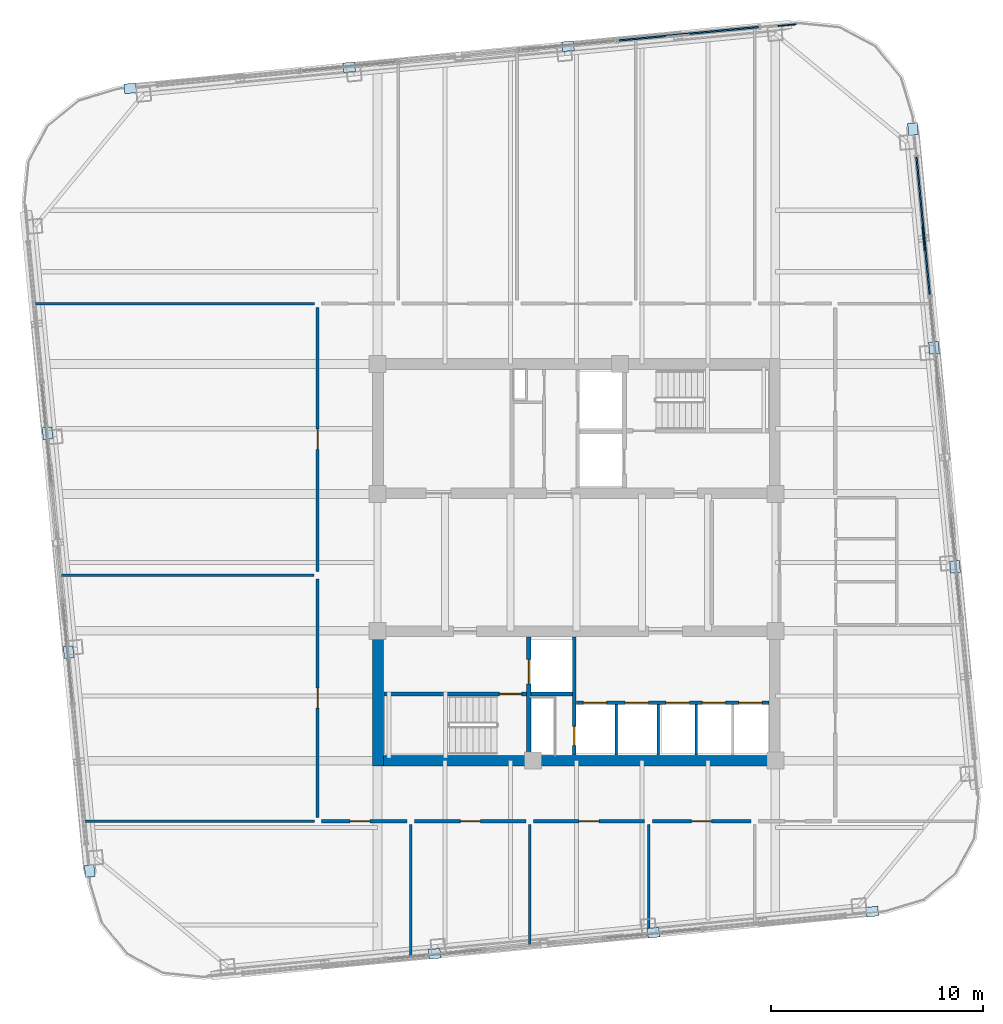
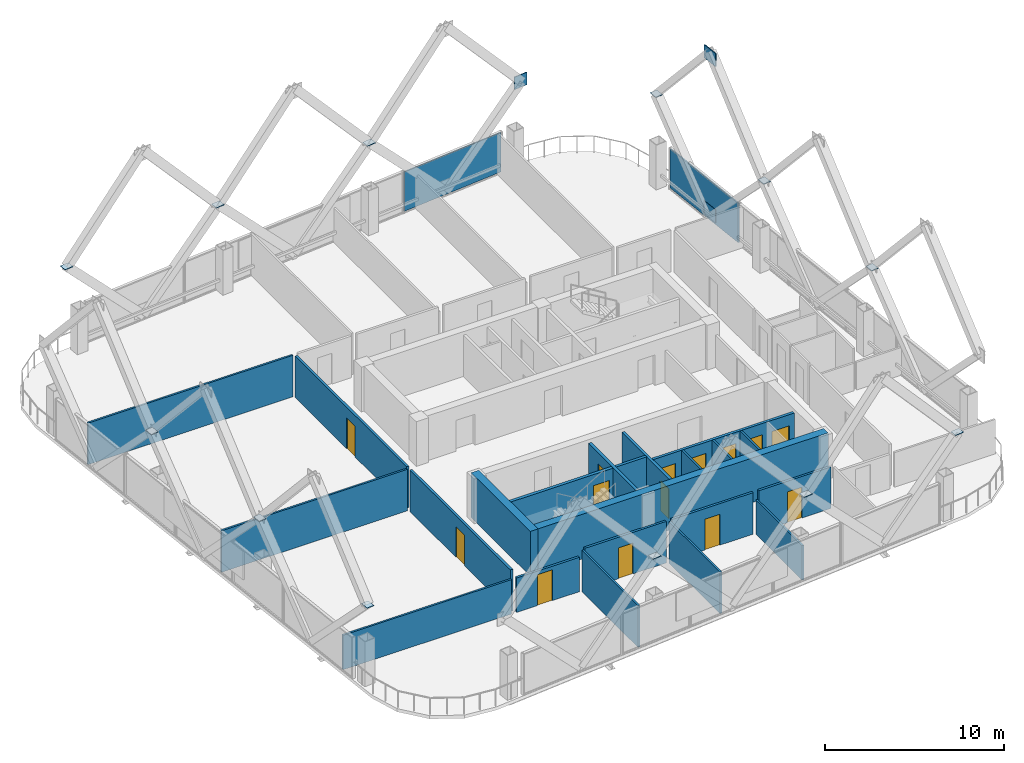
# One storey, part 29 of 34: 22 walls, 17 plates, 14 doors, 14 openings, 2 elements without a shape of their own.
"""IFC4 building model written with IfcOpenShell, lengths in metres."""

from ifc_helpers import new_model, si_unit, direction, frame, frame_2d, origin, origin_2d, place, context, subcontext, project, spatial, rectangle, extrude, material, layer, layer_set, type_object, element, fill, aggregate, save


model = new_model("IFC4")

# Units and contexts
model_context = context("Model", 3, precision=1e-05, world=origin(), true_north=direction((0.0, 1.0)))
body_context = subcontext(model_context, "Body", "Model", "MODEL_VIEW")
ifc_project = project(units=[si_unit("LENGTHUNIT", "METRE"), si_unit("AREAUNIT", "SQUARE_METRE"), si_unit("VOLUMEUNIT", "CUBIC_METRE"), si_unit("PLANEANGLEUNIT", "RADIAN"), si_unit("MASSUNIT", "GRAM", prefix="KILO")], contexts=[model_context])

# Site, building, storey
site_placement = place(None, origin())
site = spatial("IfcSite", under=ifc_project, at=site_placement, CompositionType="ELEMENT")
building_placement = place(site_placement, origin())
building = spatial("IfcBuilding", under=site, at=building_placement, Name="Qhalaya Broadcast Tower", CompositionType="ELEMENT")
storey_placement = place(building_placement, frame((0.0, 0.0, 168.35009765625)))
storey = spatial("IfcBuildingStorey", under=building, at=storey_placement, Name="L49", CompositionType="ELEMENT", Elevation=168.35009765625)

# Plates
ifc_material_1 = material(Name="Structural Steel ASTM A572 Grade 50", Category="steel")
ifc_layer_1 = layer(ifc_material_1, 0.054931640625, Name="Structural Steel ASTM A572 Grade 50")
ifc_layer_set_1 = layer_set([ifc_layer_1], Name="Structural Steel ASTM A572 Grade 50")
plate_type_1 = type_object("IfcPlateType", Name="Exoskeleton Diamond Node Gusset Plate NP-01", PredefinedType="USERDEFINED", material=ifc_layer_set_1)
for number, where, z_axis, x_axis, name in (
    (1, (16.35986328125, 15.87060546875, 0.2099609375), (0.0, 0.0, 1.0), (-0.09584575252, 0.995396198367, 0.0), "Exoskeleton Diamond Node B4-E3-BOT"),
    (2, (16.35986328125, 15.87060546875, 10.849853515625), (0.0, 0.0, 1.0), (-0.09584575252, 0.995396198367, 0.0), "Exoskeleton Diamond Node B4-E3-TOP"),
):
    element("IfcPlate", number, at=place(storey_placement, frame(where, z_axis=z_axis, x_axis=x_axis)), inside=storey, type_object=plate_type_1, Name=name, ObjectType="GUSSET_PLATE", PredefinedType="USERDEFINED", context=body_context, shape_type="SweptSolid", body=[
        extrude(rectangle(XDim=1.10009765625, YDim=0.054931640625, at=origin_2d()), origin(), (0.0, 0.0, 1.0), 0.89990234375),
    ])
plate_1_placement = place(storey_placement, frame((9.926513671875, 25.923828125, 5.31494140625), z_axis=(0.0, 0.0, 1.0), x_axis=(0.995396198367, 0.09584575252, 0.0)))
element("IfcPlate", 3, at=plate_1_placement, inside=storey, type_object=plate_type_1, Name="Exoskeleton Diamond Node B4-N1-MDL", ObjectType="GUSSET_PLATE", PredefinedType="USERDEFINED", context=body_context, shape_type="SweptSolid", body=[
    extrude(rectangle(XDim=0.85009765625, YDim=0.054931640625, at=origin_2d()), origin(), (0.0, 0.0, 1.0), 0.85009765625),
])
ifc_layer_2 = layer(ifc_material_1, 0.4599609375, Name="Structural Steel ASTM A572 Grade 50")
ifc_layer_set_2 = layer_set([ifc_layer_2], Name="Structural Steel ASTM A572 Grade 50")
plate_type_2 = type_object("IfcPlateType", Name="Hollow Box Member End Cap Plate CP-01", PredefinedType="USERDEFINED", material=ifc_layer_set_2)
for number, where, z_axis, x_axis, name in (
    (4, (-6.687744140625, -17.85009765625, 5.72412109375), (0.0, 0.0, 1.0), (0.995396198367, 0.09584575252, 0.0), "Exoskeleton Hollow End Cap B4-S1"),
    (5, (3.63134765625, -16.856689453125, 5.72412109375), (0.0, 0.0, 1.0), (0.995396198367, 0.09584575252, 0.0), "Exoskeleton Hollow End Cap B4-S2"),
    (6, (13.9501953125, -15.863037109375, 5.72412109375), (0.0, 0.0, 1.0), (0.995396198367, 0.09584575252, 0.0), "Exoskeleton Hollow End Cap B4-S3"),
    (7, (17.85009765625, 0.392333984375, 5.72412109375), (0.0, 0.0, 1.0), (-0.09584575252, 0.995396198367, 0.0), "Exoskeleton Hollow End Cap B4-E1"),
    (8, (16.856689453125, 10.711181640625, 5.72412109375), (0.0, 0.0, 1.0), (-0.09584575252, 0.995396198367, 0.0), "Exoskeleton Hollow End Cap B4-E2"),
    (9, (15.863037109375, 21.0302734375, 5.72412109375), (0.0, 0.0, 1.0), (-0.09584575252, 0.995396198367, 0.0), "Exoskeleton Hollow End Cap B4-E3"),
    (10, (-0.392333984375, 24.93017578125, 5.72412109375), (0.0, 0.0, 1.0), (0.995396198367, 0.09584575252, 0.0), "Exoskeleton Hollow End Cap B4-N1"),
    (11, (-10.711181640625, 23.9365234375, 5.72412109375), (0.0, 0.0, 1.0), (0.995396198367, 0.09584575252, 0.0), "Exoskeleton Hollow End Cap B4-N2"),
    (12, (-21.0302734375, 22.943115234375, 5.72412109375), (0.0, 0.0, 1.0), (0.995396198367, 0.09584575252, 0.0), "Exoskeleton Hollow End Cap B4-N3"),
    (13, (-24.93017578125, 6.687744140625, 5.72412109375), (0.0, 0.0, 1.0), (-0.09584575252, 0.995396198367, 0.0), "Exoskeleton Hollow End Cap B4-W1"),
    (14, (-23.9365234375, -3.63134765625, 5.72412109375), (0.0, 0.0, 1.0), (-0.09584575252, 0.995396198367, 0.0), "Exoskeleton Hollow End Cap B4-W2"),
    (15, (-22.943115234375, -13.9501953125, 5.72412109375), (0.0, 0.0, 1.0), (-0.09584575252, 0.995396198367, 0.0), "Exoskeleton Hollow End Cap B4-W3"),
):
    element("IfcPlate", number, at=place(storey_placement, frame(where, z_axis=z_axis, x_axis=x_axis)), inside=storey, type_object=plate_type_2, Name=name, ObjectType="COVER_PLATE", PredefinedType="USERDEFINED", context=body_context, shape_type="SweptSolid", body=[
        extrude(rectangle(XDim=0.56005859375, YDim=0.4599609375, at=origin_2d()), origin(), (0.0, 0.0, 1.0), 0.031982421875),
    ])

# Curtain wall, plate
ifc_material_2 = material(Name="Fired Architectural Terracotta", Category="masonry")
ifc_layer_3 = layer(ifc_material_2, 0.219970703125, Name="Fired Architectural Terracotta")
ifc_layer_set_3 = layer_set([ifc_layer_3], Name="Fired Architectural Terracotta")
curtain_wall_type = type_object("IfcCurtainWallType", Name="Block-Cap Unitised Terracotta Spandrel Wall CW-07", PredefinedType="NOTDEFINED", material=ifc_layer_set_3)
curtain_wall_1_placement = place(storey_placement, origin())
curtain_wall_1 = element("IfcCurtainWall", 16, at=curtain_wall_1_placement, inside=storey, type_object=curtain_wall_type, Name="L49 Unitised Curtain Wall L49-CW-E5", PredefinedType="NOTDEFINED")
ifc_layer_4 = layer(ifc_material_2, 0.080078125, Name="Fired Architectural Terracotta")
ifc_layer_set_4 = layer_set([ifc_layer_4], Name="Fired Architectural Terracotta")
plate_type_3 = type_object("IfcPlateType", Name="Insulated Terracotta Spandrel Panel TSP-07", PredefinedType="CURTAIN_PANEL", material=ifc_layer_set_4)
plate_2_placement = place(storey_placement, frame((16.343017578125, 16.462158203125, 0.07470703125), z_axis=(0.0, 0.0, 1.0), x_axis=(-0.095842362816, 0.995396524753, 0.0)))
plate_2 = element("IfcPlate", 17, at=plate_2_placement, type_object=plate_type_3, Name="CW-07 panel 1.1", PredefinedType="CURTAIN_PANEL", context=body_context, shape_type="SweptSolid", body=[
    extrude(rectangle(XDim=6.535888671875, YDim=0.080078125, at=origin_2d()), origin(), (0.0, 0.0, 1.0), 2.679931640625),
])
aggregate(curtain_wall_1, [plate_2])

curtain_wall_2_placement = place(storey_placement, origin())
curtain_wall_2 = element("IfcCurtainWall", 18, at=curtain_wall_2_placement, inside=storey, type_object=curtain_wall_type, Name="L49 Unitised Curtain Wall L49-CW-N1", PredefinedType="NOTDEFINED")
plate_3_placement = place(storey_placement, frame((5.30419921875, 25.518798828125, 0.07470703125), z_axis=(0.0, 0.0, 1.0), x_axis=(-0.99539669829, -0.095840560477, 0.0)))
plate_3 = element("IfcPlate", 19, at=plate_3_placement, type_object=plate_type_3, Name="CW-07 panel 1.1", PredefinedType="CURTAIN_PANEL", context=body_context, shape_type="SweptSolid", body=[
    extrude(rectangle(XDim=6.630126953125, YDim=0.080078125, at=origin_2d()), origin(), (0.0, 0.0, 1.0), 2.679931640625),
])
aggregate(curtain_wall_2, [plate_3])

# Wall, opening, door
ifc_material_3 = material(Name="Gypsum Acoustic Partition")
ifc_layer_5 = layer(ifc_material_3, 0.14990234375, Name="Gypsum Acoustic Partition")
ifc_layer_set_5 = layer_set([ifc_layer_5], Name="Gypsum Acoustic Partition")
wall_type_1 = type_object("IfcWallType", Name="Corridor & Tenancy Acoustic Partition 150", PredefinedType="PARTITIONING", material=ifc_layer_set_5)
wall_1_placement = place(storey_placement, frame((-12.02001953125, -11.60009765625, 0.0), z_axis=(0.0, 0.0, 1.0), x_axis=(1.0, 0.0, 0.0)))
wall_1 = element("IfcWall", 20, at=wall_1_placement, inside=storey, type_object=wall_type_1, Name="L49 Partition Wall W-COR-06", PredefinedType="PARTITIONING", context=body_context, shape_type="SweptSolid", body=[
    extrude(rectangle(XDim=4.0400390625, YDim=0.14990234375, at=frame_2d((2.02001953125, 0.0))), origin(), (0.0, 0.0, 1.0), 2.346923828125),
])
opening_1_placement = place(wall_1_placement, frame((1.344970703125, 0.0, 0.0)))
opening_1 = element("IfcOpeningElement", 21, at=opening_1_placement, cuts=wall_1, Name="Opening D10", PredefinedType="OPENING", context=body_context, shape_type="SweptSolid", body=[
    extrude(rectangle(XDim=0.949951171875, YDim=2.10009765625, at=frame_2d((0.47509765625, 1.050048828125))), frame((0.0, 0.0869140625, 0.0), z_axis=(0.0, -1.0, 0.0), x_axis=(1.0, 0.0, 0.0)), (0.0, 0.0, 1.0), 0.173828125),
])
ifc_material_4 = material(Name="Timber Veneer Acoustic Door", Category="wood")
door_type_1 = type_object("IfcDoorType", Name="Cellular Office & Edit Booth Door D10", OperationType="NOTDEFINED", PredefinedType="DOOR", material=ifc_material_4)
door_1_placement = place(opening_1_placement, origin())
door_1 = element("IfcDoor", 22, at=door_1_placement, inside=storey, type_object=door_type_1, Name="L49 Door D-RM06", OperationType="SINGLE_SWING_RIGHT", OverallHeight=2.10009765625, OverallWidth=0.949951171875, PredefinedType="DOOR", context=body_context, shape_type="SweptSolid", body=[
    extrude(rectangle(XDim=0.949951171875, YDim=2.10009765625, at=frame_2d((0.47509765625, 1.050048828125))), frame((0.0, 0.02490234375, 0.0), z_axis=(0.0, -1.0, 0.0), x_axis=(1.0, 0.0, 0.0)), (0.0, 0.0, 1.0), 0.050048828125),
])
fill(opening_1, door_1)

wall_2_placement = place(storey_placement, frame((-7.6201171875, -11.60009765625, 0.0), z_axis=(0.0, 0.0, 1.0), x_axis=(1.0, 0.0, 0.0)))
wall_2 = element("IfcWall", 23, at=wall_2_placement, inside=storey, type_object=wall_type_1, Name="L49 Partition Wall W-COR-07", PredefinedType="PARTITIONING", context=body_context, shape_type="SweptSolid", body=[
    extrude(rectangle(XDim=5.240234375, YDim=0.14990234375, at=frame_2d((2.6201171875, 0.0))), origin(), (0.0, 0.0, 1.0), 2.829833984375),
])
opening_2_placement = place(wall_2_placement, frame((2.14501953125, 0.0, 0.0)))
opening_2 = element("IfcOpeningElement", 24, at=opening_2_placement, cuts=wall_2, Name="Opening D10", PredefinedType="OPENING", context=body_context, shape_type="SweptSolid", body=[
    extrude(rectangle(XDim=0.949951171875, YDim=2.10009765625, at=frame_2d((0.47509765625, 1.050048828125))), frame((0.0, 0.0869140625, 0.0), z_axis=(0.0, -1.0, 0.0), x_axis=(1.0, 0.0, 0.0)), (0.0, 0.0, 1.0), 0.173828125),
])
door_2_placement = place(opening_2_placement, origin())
door_2 = element("IfcDoor", 25, at=door_2_placement, inside=storey, type_object=door_type_1, Name="L49 Door D-RM07", OperationType="SINGLE_SWING_LEFT", OverallHeight=2.10009765625, OverallWidth=0.949951171875, PredefinedType="DOOR", context=body_context, shape_type="SweptSolid", body=[
    extrude(rectangle(XDim=0.949951171875, YDim=2.10009765625, at=frame_2d((0.47509765625, 1.050048828125))), frame((0.0, 0.02490234375, 0.0), z_axis=(0.0, -1.0, 0.0), x_axis=(1.0, 0.0, 0.0)), (0.0, 0.0, 1.0), 0.050048828125),
])
fill(opening_2, door_2)

wall_3_placement = place(storey_placement, frame((-2.02001953125, -11.60009765625, 0.0), z_axis=(0.0, 0.0, 1.0), x_axis=(1.0, 0.0, 0.0)))
wall_3 = element("IfcWall", 26, at=wall_3_placement, inside=storey, type_object=wall_type_1, Name="L49 Partition Wall W-COR-08", PredefinedType="PARTITIONING", context=body_context, shape_type="SweptSolid", body=[
    extrude(rectangle(XDim=5.239990234375, YDim=0.14990234375, at=frame_2d((2.6201171875, 0.0))), origin(), (0.0, 0.0, 1.0), 2.829833984375),
])
opening_3_placement = place(wall_3_placement, frame((2.14501953125, 0.0, 0.0)))
opening_3 = element("IfcOpeningElement", 27, at=opening_3_placement, cuts=wall_3, Name="Opening D10", PredefinedType="OPENING", context=body_context, shape_type="SweptSolid", body=[
    extrude(rectangle(XDim=0.949951171875, YDim=2.10009765625, at=frame_2d((0.47509765625, 1.050048828125))), frame((0.0, 0.0869140625, 0.0), z_axis=(0.0, -1.0, 0.0), x_axis=(1.0, 0.0, 0.0)), (0.0, 0.0, 1.0), 0.173828125),
])
door_3_placement = place(opening_3_placement, origin())
door_3 = element("IfcDoor", 28, at=door_3_placement, inside=storey, type_object=door_type_1, Name="L49 Door D-RM08", OperationType="SINGLE_SWING_RIGHT", OverallHeight=2.10009765625, OverallWidth=0.949951171875, PredefinedType="DOOR", context=body_context, shape_type="SweptSolid", body=[
    extrude(rectangle(XDim=0.949951171875, YDim=2.10009765625, at=frame_2d((0.47509765625, 1.050048828125))), frame((0.0, 0.02490234375, 0.0), z_axis=(0.0, -1.0, 0.0), x_axis=(1.0, 0.0, 0.0)), (0.0, 0.0, 1.0), 0.050048828125),
])
fill(opening_3, door_3)

wall_4_placement = place(storey_placement, frame((3.580078125, -11.60009765625, 0.0), z_axis=(0.0, 0.0, 1.0), x_axis=(1.0, 0.0, 0.0)))
wall_4 = element("IfcWall", 29, at=wall_4_placement, inside=storey, type_object=wall_type_1, Name="L49 Partition Wall W-COR-09", PredefinedType="PARTITIONING", context=body_context, shape_type="SweptSolid", body=[
    extrude(rectangle(XDim=4.639892578125, YDim=0.14990234375, at=frame_2d((2.31982421875, 0.0))), origin(), (0.0, 0.0, 1.0), 2.829833984375),
])
opening_4_placement = place(wall_4_placement, frame((1.844970703125, 0.0, 0.0)))
opening_4 = element("IfcOpeningElement", 30, at=opening_4_placement, cuts=wall_4, Name="Opening D10", PredefinedType="OPENING", context=body_context, shape_type="SweptSolid", body=[
    extrude(rectangle(XDim=0.949951171875, YDim=2.10009765625, at=frame_2d((0.47509765625, 1.050048828125))), frame((0.0, 0.0869140625, 0.0), z_axis=(0.0, -1.0, 0.0), x_axis=(1.0, 0.0, 0.0)), (0.0, 0.0, 1.0), 0.173828125),
])
door_4_placement = place(opening_4_placement, origin())
door_4 = element("IfcDoor", 31, at=door_4_placement, inside=storey, type_object=door_type_1, Name="L49 Door D-RM09", OperationType="SINGLE_SWING_LEFT", OverallHeight=2.10009765625, OverallWidth=0.949951171875, PredefinedType="DOOR", context=body_context, shape_type="SweptSolid", body=[
    extrude(rectangle(XDim=0.949951171875, YDim=2.10009765625, at=frame_2d((0.47509765625, 1.050048828125))), frame((0.0, 0.02490234375, 0.0), z_axis=(0.0, -1.0, 0.0), x_axis=(1.0, 0.0, 0.0)), (0.0, 0.0, 1.0), 0.050048828125),
])
fill(opening_4, door_4)

wall_5_placement = place(storey_placement, frame((-12.199951171875, -11.419921875, 0.0), z_axis=(0.0, 0.0, 1.0), x_axis=(0.0, 1.0, 0.0)))
wall_5 = element("IfcWall", 32, at=wall_5_placement, inside=storey, type_object=wall_type_1, Name="L49 Partition Wall W-COR-11", PredefinedType="PARTITIONING", context=body_context, shape_type="SweptSolid", body=[
    extrude(rectangle(XDim=11.239990234375, YDim=0.14990234375, at=frame_2d((5.6201171875, 0.0))), origin(), (0.0, 0.0, 1.0), 2.829833984375),
])
opening_5_placement = place(wall_5_placement, frame((5.14501953125, 0.0, 0.0)))
opening_5 = element("IfcOpeningElement", 33, at=opening_5_placement, cuts=wall_5, Name="Opening D10", PredefinedType="OPENING", context=body_context, shape_type="SweptSolid", body=[
    extrude(rectangle(XDim=0.949951171875, YDim=2.10009765625, at=frame_2d((0.47509765625, 1.050048828125))), frame((0.0, 0.0869140625, 0.0), z_axis=(0.0, -1.0, 0.0), x_axis=(1.0, 0.0, 0.0)), (0.0, 0.0, 1.0), 0.173828125),
])
door_5_placement = place(opening_5_placement, origin())
door_5 = element("IfcDoor", 34, at=door_5_placement, inside=storey, type_object=door_type_1, Name="L49 Door D-RM11", OperationType="SINGLE_SWING_LEFT", OverallHeight=2.10009765625, OverallWidth=0.949951171875, PredefinedType="DOOR", context=body_context, shape_type="SweptSolid", body=[
    extrude(rectangle(XDim=0.949951171875, YDim=2.10009765625, at=frame_2d((0.47509765625, 1.050048828125))), frame((0.0, 0.02490234375, 0.0), z_axis=(0.0, -1.0, 0.0), x_axis=(1.0, 0.0, 0.0)), (0.0, 0.0, 1.0), 0.050048828125),
])
fill(opening_5, door_5)

wall_6_placement = place(storey_placement, frame((-12.199951171875, 0.179931640625, 0.0), z_axis=(0.0, 0.0, 1.0), x_axis=(0.0, 1.0, 0.0)))
wall_6 = element("IfcWall", 35, at=wall_6_placement, inside=storey, type_object=wall_type_1, Name="L49 Partition Wall W-COR-12", PredefinedType="PARTITIONING", context=body_context, shape_type="SweptSolid", body=[
    extrude(rectangle(XDim=12.440185546875, YDim=0.14990234375, at=frame_2d((6.22021484375, 0.0))), origin(), (0.0, 0.0, 1.0), 2.829833984375),
])
opening_6_placement = place(wall_6_placement, frame((5.7451171875, 0.0, 0.0)))
opening_6 = element("IfcOpeningElement", 36, at=opening_6_placement, cuts=wall_6, Name="Opening D10", PredefinedType="OPENING", context=body_context, shape_type="SweptSolid", body=[
    extrude(rectangle(XDim=0.949951171875, YDim=2.10009765625, at=frame_2d((0.47509765625, 1.050048828125))), frame((0.0, 0.0869140625, 0.0), z_axis=(0.0, -1.0, 0.0), x_axis=(1.0, 0.0, 0.0)), (0.0, 0.0, 1.0), 0.173828125),
])
door_6_placement = place(opening_6_placement, origin())
door_6 = element("IfcDoor", 37, at=door_6_placement, inside=storey, type_object=door_type_1, Name="L49 Door D-RM12", OperationType="SINGLE_SWING_RIGHT", OverallHeight=2.10009765625, OverallWidth=0.949951171875, PredefinedType="DOOR", context=body_context, shape_type="SweptSolid", body=[
    extrude(rectangle(XDim=0.949951171875, YDim=2.10009765625, at=frame_2d((0.47509765625, 1.050048828125))), frame((0.0, 0.02490234375, 0.0), z_axis=(0.0, -1.0, 0.0), x_axis=(1.0, 0.0, 0.0)), (0.0, 0.0, 1.0), 0.050048828125),
])
fill(opening_6, door_6)

ifc_material_5 = material(Name="Concrete C50/60", Category="concrete")
ifc_layer_6 = layer(ifc_material_5, 0.199951171875, Name="Concrete C50/60")
ifc_layer_set_6 = layer_set([ifc_layer_6], Name="Concrete C50/60")
wall_type_2 = type_object("IfcWallType", Name="Load-Bearing Stair Shaft Wall 200", PredefinedType="SHEAR", material=ifc_layer_set_6)
wall_7_placement = place(storey_placement, frame((-9.080078125, -5.60498046875, 0.0), z_axis=(0.0, 0.0, 1.0), x_axis=(1.0, 0.0, 0.0)))
wall_7 = element("IfcWall", 38, at=wall_7_placement, inside=storey, type_object=wall_type_2, Name="L49 Stair Core Shear Wall SCW-ST2", PredefinedType="SHEAR", context=body_context, shape_type="SweptSolid", body=[
    extrude(rectangle(XDim=6.719970703125, YDim=0.199951171875, at=frame_2d((3.35986328125, 0.0))), origin(), (0.0, 0.0, 1.0), 2.829833984375),
])
opening_7_placement = place(wall_7_placement, frame((5.449951171875, 0.0, 0.0)))
opening_7 = element("IfcOpeningElement", 39, at=opening_7_placement, cuts=wall_7, Name="Opening D03", PredefinedType="OPENING", context=body_context, shape_type="SweptSolid", body=[
    extrude(rectangle(XDim=1.050048828125, YDim=2.080078125, at=frame_2d((0.52490234375, 1.0400390625))), frame((0.0, 0.112060546875, 0.0), z_axis=(0.0, -1.0, 0.0), x_axis=(1.0, 0.0, 0.0)), (0.0, 0.0, 1.0), 0.223876953125),
])
ifc_material_6 = material(Name="Fire-Rated Steel Door", Category="steel")
door_type_2 = type_object("IfcDoorType", Name="Core Stair Protected Fire Door D03", OperationType="NOTDEFINED", PredefinedType="DOOR", material=ifc_material_6)
door_7_placement = place(opening_7_placement, origin())
door_7 = element("IfcDoor", 40, at=door_7_placement, inside=storey, type_object=door_type_2, Name="L49 Door D-SST2", OperationType="SINGLE_SWING_RIGHT", OverallHeight=2.080078125, OverallWidth=1.050048828125, PredefinedType="DOOR", context=body_context, shape_type="SweptSolid", body=[
    extrude(rectangle(XDim=1.050048828125, YDim=2.080078125, at=frame_2d((0.52490234375, 1.0400390625))), frame((0.0, 0.02490234375, 0.0), z_axis=(0.0, -1.0, 0.0), x_axis=(1.0, 0.0, 0.0)), (0.0, 0.0, 1.0), 0.050048828125),
])
fill(opening_7, door_7)

wall_8_placement = place(storey_placement, frame((-2.25, -8.47998046875, 0.0), z_axis=(0.0, 0.0, 1.0), x_axis=(0.0, 1.0, 0.0)))
wall_8 = element("IfcWall", 41, at=wall_8_placement, inside=storey, type_object=wall_type_2, Name="L49 Stair Core Shear Wall SCW-FF", PredefinedType="SHEAR", context=body_context, shape_type="SweptSolid", body=[
    extrude(rectangle(XDim=5.56005859375, YDim=0.199951171875, at=frame_2d((2.780029296875, 0.0))), origin(), (0.0, 0.0, 1.0), 2.829833984375),
])
opening_8_placement = place(wall_8_placement, frame((3.35009765625, 0.0, 0.0)))
opening_8 = element("IfcOpeningElement", 42, at=opening_8_placement, cuts=wall_8, Name="Opening LD2", PredefinedType="OPENING", context=body_context, shape_type="SweptSolid", body=[
    extrude(rectangle(XDim=1.14990234375, YDim=2.080078125, at=frame_2d((0.574951171875, 1.0400390625))), frame((0.0, 0.112060546875, 0.0), z_axis=(0.0, -1.0, 0.0), x_axis=(1.0, 0.0, 0.0)), (0.0, 0.0, 1.0), 0.223876953125),
])
ifc_material_7 = material(Name="Brushed Stainless Steel Lift Door", Category="steel")
door_type_3 = type_object("IfcDoorType", Name="Firefighting Lift Sliding Landing Door LD2", OperationType="DOUBLE_DOOR_SLIDING", PredefinedType="DOOR", material=ifc_material_7)
door_8_placement = place(opening_8_placement, origin())
door_8 = element("IfcDoor", 43, at=door_8_placement, inside=storey, type_object=door_type_3, Name="L49 Door LD-FF2", OperationType="DOUBLE_DOOR_SLIDING", OverallHeight=2.080078125, OverallWidth=1.14990234375, PredefinedType="DOOR", context=body_context, shape_type="SweptSolid", body=[
    extrude(rectangle(XDim=1.14990234375, YDim=2.080078125, at=frame_2d((0.574951171875, 1.0400390625))), frame((0.0, 0.02490234375, 0.0), z_axis=(0.0, -1.0, 0.0), x_axis=(1.0, 0.0, 0.0)), (0.0, 0.0, 1.0), 0.050048828125),
])
fill(opening_8, door_8)

# Walls
ifc_layer_7 = layer(ifc_material_5, 0.5, Name="Concrete C50/60")
ifc_layer_set_7 = layer_set([ifc_layer_7], Name="Concrete C50/60")
wall_type_3 = type_object("IfcWallType", Name="Mid Split-Core Shear Wall 500", PredefinedType="SHEAR", material=ifc_layer_set_7)
wall_9_placement = place(storey_placement, frame((-9.60009765625, -8.75, 0.0), z_axis=(0.0, 0.0, 1.0), x_axis=(1.0, 0.0, 0.0)))
element("IfcWall", 44, at=wall_9_placement, inside=storey, type_object=wall_type_3, Name="L49 Split-Core Shear Wall CW-SS", PredefinedType="SHEAR", context=body_context, shape_type="SweptSolid", body=[
    extrude(rectangle(XDim=19.2001953125, YDim=0.5, at=frame_2d((9.60009765625, 0.0))), origin(), (0.0, 0.0, 1.0), 3.0498046875),
])
wall_10_placement = place(storey_placement, frame((-9.35009765625, -9.0, 0.0), z_axis=(0.0, 0.0, 1.0), x_axis=(0.0, 1.0, 0.0)))
element("IfcWall", 45, at=wall_10_placement, inside=storey, type_object=wall_type_3, Name="L49 Split-Core Shear Wall CW-SW", PredefinedType="SHEAR", context=body_context, shape_type="SweptSolid", body=[
    extrude(rectangle(XDim=6.60009765625, YDim=0.5, at=frame_2d((3.300048828125, 0.0))), origin(), (0.0, 0.0, 1.0), 3.0498046875),
])
ifc_layer_8 = layer(ifc_material_3, 0.1201171875, Name="Gypsum Acoustic Partition")
ifc_layer_set_8 = layer_set([ifc_layer_8], Name="Gypsum Acoustic Partition")
wall_type_4 = type_object("IfcWallType", Name="Office, Booth & Sanitary Partition 120", PredefinedType="PARTITIONING", material=ifc_layer_set_8)
for number, where, z_axis, x_axis, name in (
    (46, (1.8798828125, -8.47998046875, 0.0), (0.0, 0.0, 1.0), (0.0, 1.0, 0.0), "L49 Partition Wall SCW-MD4"),
    (47, (3.85009765625, -8.47998046875, 0.0), (0.0, 0.0, 1.0), (0.0, 1.0, 0.0), "L49 Partition Wall SCW-MD5"),
    (48, (5.639892578125, -8.47998046875, 0.0), (0.0, 0.0, 1.0), (0.0, 1.0, 0.0), "L49 Partition Wall SCW-HD6"),
):
    element("IfcWall", number, at=place(storey_placement, frame(where, z_axis=z_axis, x_axis=x_axis)), inside=storey, type_object=wall_type_4, Name=name, PredefinedType="PARTITIONING", context=body_context, shape_type="SweptSolid", body=[
        extrude(rectangle(XDim=2.3798828125, YDim=0.1201171875, at=frame_2d((1.18994140625, 0.0))), origin(), (0.0, 0.0, 1.0), 2.829833984375),
    ])
wall_11_placement = place(storey_placement, frame((-25.558837890625, 12.800048828125, 0.0), z_axis=(0.0, 0.0, 1.0), x_axis=(1.0, 0.0, 0.0)))
element("IfcWall", 49, at=wall_11_placement, inside=storey, type_object=wall_type_4, Name="L49 Partition Wall W-BNDW1", PredefinedType="PARTITIONING", context=body_context, shape_type="SweptSolid", body=[
    extrude(rectangle(XDim=13.21875, YDim=0.1201171875, at=frame_2d((6.609375, 0.0))), origin(), (0.0, 0.0, 1.0), 2.829833984375),
])
wall_12_placement = place(storey_placement, frame((-23.20947265625, -11.60009765625, 0.0), z_axis=(0.0, 0.0, 1.0), x_axis=(1.0, 0.0, 0.0)))
element("IfcWall", 50, at=wall_12_placement, inside=storey, type_object=wall_type_4, Name="L49 Partition Wall W-BNDW2", PredefinedType="PARTITIONING", context=body_context, shape_type="SweptSolid", body=[
    extrude(rectangle(XDim=10.869384765625, YDim=0.1201171875, at=frame_2d((5.4345703125, 0.0))), origin(), (0.0, 0.0, 1.0), 2.346923828125),
])
wall_13_placement = place(storey_placement, frame((-7.800048828125, -17.997314453125, 0.0), z_axis=(0.0, 0.0, 1.0), x_axis=(0.0, 1.0, 0.0)))
element("IfcWall", 51, at=wall_13_placement, inside=storey, type_object=wall_type_4, Name="L49 Partition Wall W-DIVS1", PredefinedType="PARTITIONING", context=body_context, shape_type="SweptSolid", body=[
    extrude(rectangle(XDim=6.2373046875, YDim=0.1201171875, at=frame_2d((3.11865234375, 0.0))), origin(), (0.0, 0.0, 1.0), 2.829833984375),
])
wall_14_placement = place(storey_placement, frame((-2.199951171875, -17.458251953125, 0.0), z_axis=(0.0, 0.0, 1.0), x_axis=(0.0, 1.0, 0.0)))
element("IfcWall", 52, at=wall_14_placement, inside=storey, type_object=wall_type_4, Name="L49 Partition Wall W-DIVS2", PredefinedType="PARTITIONING", context=body_context, shape_type="SweptSolid", body=[
    extrude(rectangle(XDim=5.6982421875, YDim=0.1201171875, at=frame_2d((2.84912109375, 0.0))), origin(), (0.0, 0.0, 1.0), 2.829833984375),
])
wall_15_placement = place(storey_placement, frame((3.39990234375, -16.9189453125, 0.0), z_axis=(0.0, 0.0, 1.0), x_axis=(0.0, 1.0, 0.0)))
element("IfcWall", 53, at=wall_15_placement, inside=storey, type_object=wall_type_4, Name="L49 Partition Wall W-DIVS3", PredefinedType="PARTITIONING", context=body_context, shape_type="SweptSolid", body=[
    extrude(rectangle(XDim=5.158935546875, YDim=0.1201171875, at=frame_2d((2.57958984375, 0.0))), origin(), (0.0, 0.0, 1.0), 2.346923828125),
])
wall_16_placement = place(storey_placement, frame((-24.326416015625, 0.0, 0.0), z_axis=(0.0, 0.0, 1.0), x_axis=(1.0, 0.0, 0.0)))
element("IfcWall", 54, at=wall_16_placement, inside=storey, type_object=wall_type_4, Name="L49 Partition Wall W-DIVW1", PredefinedType="PARTITIONING", context=body_context, shape_type="SweptSolid", body=[
    extrude(rectangle(XDim=11.96630859375, YDim=0.1201171875, at=frame_2d((5.983154296875, 0.0))), origin(), (0.0, 0.0, 1.0), 2.829833984375),
])

# Wall, opening, door
ifc_layer_9 = layer(ifc_material_3, 0.175048828125, Name="Gypsum Acoustic Partition")
ifc_layer_set_9 = layer_set([ifc_layer_9], Name="Gypsum Acoustic Partition")
wall_type_5 = type_object("IfcWallType", Name="Shaft & Riser Fire Partition 175", PredefinedType="PARTITIONING", material=ifc_layer_set_9)
wall_17_placement = place(storey_placement, frame((-0.10009765625, -8.47998046875, 0.0), z_axis=(0.0, 0.0, 1.0), x_axis=(0.0, 1.0, 0.0)))
wall_17 = element("IfcWall", 55, at=wall_17_placement, inside=storey, type_object=wall_type_5, Name="L49 Partition Wall SCW-FFE", PredefinedType="PARTITIONING", context=body_context, shape_type="SweptSolid", body=[
    extrude(rectangle(XDim=5.56005859375, YDim=0.175048828125, at=frame_2d((2.780029296875, 0.0))), origin(), (0.0, 0.0, 1.0), 2.829833984375),
])
opening_9_placement = place(wall_17_placement, frame((0.449951171875, 0.0, 0.0)))
opening_9 = element("IfcOpeningElement", 56, at=opening_9_placement, cuts=wall_17, Name="Opening D06", PredefinedType="OPENING", context=body_context, shape_type="SweptSolid", body=[
    extrude(rectangle(XDim=0.89990234375, YDim=2.050048828125, at=frame_2d((0.449951171875, 1.02490234375))), frame((0.0, 0.099609375, 0.0), z_axis=(0.0, -1.0, 0.0), x_axis=(1.0, 0.0, 0.0)), (0.0, 0.0, 1.0), 0.198974609375),
])
door_type_4 = type_object("IfcDoorType", Name="Riser & Electrical Shaft Access Door D06", OperationType="NOTDEFINED", PredefinedType="DOOR", material=ifc_material_6)
door_9_placement = place(opening_9_placement, origin())
door_9 = element("IfcDoor", 57, at=door_9_placement, inside=storey, type_object=door_type_4, Name="L49 Riser Shaft Access Door D-SRSR", OperationType="SINGLE_SWING_LEFT", OverallHeight=2.050048828125, OverallWidth=0.89990234375, PredefinedType="DOOR", context=body_context, shape_type="SweptSolid", body=[
    extrude(rectangle(XDim=0.89990234375, YDim=2.050048828125, at=frame_2d((0.449951171875, 1.02490234375))), frame((0.0, 0.02490234375, 0.0), z_axis=(0.0, -1.0, 0.0), x_axis=(1.0, 0.0, 0.0)), (0.0, 0.0, 1.0), 0.050048828125),
])
fill(opening_9, door_9)

# Wall
wall_18_placement = place(storey_placement, frame((-2.14990234375, -5.60009765625, 0.0), z_axis=(0.0, 0.0, 1.0), x_axis=(1.0, 0.0, 0.0)))
element("IfcWall", 58, at=wall_18_placement, inside=storey, type_object=wall_type_5, Name="L49 Partition Wall SCW-FFM", PredefinedType="PARTITIONING", context=body_context, shape_type="SweptSolid", body=[
    extrude(rectangle(XDim=1.969970703125, YDim=0.175048828125, at=frame_2d((0.98486328125, 0.0))), origin(), (0.0, 0.0, 1.0), 2.829833984375),
])

# Wall, openings, doors
wall_19_placement = place(storey_placement, frame((0.0, -6.02001953125, 0.0), z_axis=(0.0, 0.0, 1.0), x_axis=(1.0, 0.0, 0.0)))
wall_19 = element("IfcWall", 59, at=wall_19_placement, inside=storey, type_object=wall_type_5, Name="L49 Partition Wall SCW-SLB", PredefinedType="PARTITIONING", context=body_context, shape_type="SweptSolid", body=[
    extrude(rectangle(XDim=9.080078125, YDim=0.175048828125, at=frame_2d((4.5400390625, 0.0))), origin(), (0.0, 0.0, 1.0), 2.829833984375),
])
opening_10_placement = place(wall_19_placement, frame((0.330078125, 0.0, 0.0)))
opening_10 = element("IfcOpeningElement", 60, at=opening_10_placement, cuts=wall_19, Name="Opening LD1", PredefinedType="OPENING", context=body_context, shape_type="SweptSolid", body=[
    extrude(rectangle(XDim=1.10009765625, YDim=2.06005859375, at=frame_2d((0.550048828125, 1.030029296875))), frame((0.0, 0.099609375, 0.0), z_axis=(0.0, -1.0, 0.0), x_axis=(1.0, 0.0, 0.0)), (0.0, 0.0, 1.0), 0.198974609375),
])
opening_11_placement = place(wall_19_placement, frame((2.300048828125, 0.0, 0.0)))
opening_11 = element("IfcOpeningElement", 61, at=opening_11_placement, cuts=wall_19, Name="Opening LD1", PredefinedType="OPENING", context=body_context, shape_type="SweptSolid", body=[
    extrude(rectangle(XDim=1.10009765625, YDim=2.06005859375, at=frame_2d((0.550048828125, 1.030029296875))), frame((0.0, 0.099609375, 0.0), z_axis=(0.0, -1.0, 0.0), x_axis=(1.0, 0.0, 0.0)), (0.0, 0.0, 1.0), 0.198974609375),
])
opening_12_placement = place(wall_19_placement, frame((4.219970703125, 0.0, 0.0)))
opening_12 = element("IfcOpeningElement", 62, at=opening_12_placement, cuts=wall_19, Name="Opening LD1", PredefinedType="OPENING", context=body_context, shape_type="SweptSolid", body=[
    extrude(rectangle(XDim=1.10009765625, YDim=2.06005859375, at=frame_2d((0.550048828125, 1.030029296875))), frame((0.0, 0.099609375, 0.0), z_axis=(0.0, -1.0, 0.0), x_axis=(1.0, 0.0, 0.0)), (0.0, 0.0, 1.0), 0.198974609375),
])
opening_13_placement = place(wall_19_placement, frame((5.93994140625, 0.0, 0.0)))
opening_13 = element("IfcOpeningElement", 63, at=opening_13_placement, cuts=wall_19, Name="Opening LD1", PredefinedType="OPENING", context=body_context, shape_type="SweptSolid", body=[
    extrude(rectangle(XDim=1.10009765625, YDim=2.06005859375, at=frame_2d((0.550048828125, 1.030029296875))), frame((0.0, 0.099609375, 0.0), z_axis=(0.0, -1.0, 0.0), x_axis=(1.0, 0.0, 0.0)), (0.0, 0.0, 1.0), 0.198974609375),
])
opening_14_placement = place(wall_19_placement, frame((7.659912109375, 0.0, 0.0)))
opening_14 = element("IfcOpeningElement", 64, at=opening_14_placement, cuts=wall_19, Name="Opening LD1", PredefinedType="OPENING", context=body_context, shape_type="SweptSolid", body=[
    extrude(rectangle(XDim=1.10009765625, YDim=2.06005859375, at=frame_2d((0.550048828125, 1.030029296875))), frame((0.0, 0.099609375, 0.0), z_axis=(0.0, -1.0, 0.0), x_axis=(1.0, 0.0, 0.0)), (0.0, 0.0, 1.0), 0.198974609375),
])
door_type_5 = type_object("IfcDoorType", Name="Passenger Lift Sliding Landing Door LD1", OperationType="DOUBLE_DOOR_SLIDING", PredefinedType="DOOR", material=ifc_material_7)
door_10_placement = place(opening_10_placement, origin())
door_10 = element("IfcDoor", 65, at=door_10_placement, inside=storey, type_object=door_type_5, Name="L49 Door LD-P4", OperationType="DOUBLE_DOOR_SLIDING", OverallHeight=2.06005859375, OverallWidth=1.10009765625, PredefinedType="DOOR", context=body_context, shape_type="SweptSolid", body=[
    extrude(rectangle(XDim=1.10009765625, YDim=2.06005859375, at=frame_2d((0.550048828125, 1.030029296875))), frame((0.0, 0.02490234375, 0.0), z_axis=(0.0, -1.0, 0.0), x_axis=(1.0, 0.0, 0.0)), (0.0, 0.0, 1.0), 0.050048828125),
])
fill(opening_10, door_10)
door_11_placement = place(opening_11_placement, origin())
door_11 = element("IfcDoor", 66, at=door_11_placement, inside=storey, type_object=door_type_5, Name="L49 Door LD-P5", OperationType="DOUBLE_DOOR_SLIDING", OverallHeight=2.06005859375, OverallWidth=1.10009765625, PredefinedType="DOOR", context=body_context, shape_type="SweptSolid", body=[
    extrude(rectangle(XDim=1.10009765625, YDim=2.06005859375, at=frame_2d((0.550048828125, 1.030029296875))), frame((0.0, 0.02490234375, 0.0), z_axis=(0.0, -1.0, 0.0), x_axis=(1.0, 0.0, 0.0)), (0.0, 0.0, 1.0), 0.050048828125),
])
fill(opening_11, door_11)
door_12_placement = place(opening_12_placement, origin())
door_12 = element("IfcDoor", 67, at=door_12_placement, inside=storey, type_object=door_type_5, Name="L49 Door LD-P6", OperationType="DOUBLE_DOOR_SLIDING", OverallHeight=2.06005859375, OverallWidth=1.10009765625, PredefinedType="DOOR", context=body_context, shape_type="SweptSolid", body=[
    extrude(rectangle(XDim=1.10009765625, YDim=2.06005859375, at=frame_2d((0.550048828125, 1.030029296875))), frame((0.0, 0.02490234375, 0.0), z_axis=(0.0, -1.0, 0.0), x_axis=(1.0, 0.0, 0.0)), (0.0, 0.0, 1.0), 0.050048828125),
])
fill(opening_12, door_12)
door_13_placement = place(opening_13_placement, origin())
door_13 = element("IfcDoor", 68, at=door_13_placement, inside=storey, type_object=door_type_5, Name="L49 Door LD-P7", OperationType="DOUBLE_DOOR_SLIDING", OverallHeight=2.06005859375, OverallWidth=1.10009765625, PredefinedType="DOOR", context=body_context, shape_type="SweptSolid", body=[
    extrude(rectangle(XDim=1.10009765625, YDim=2.06005859375, at=frame_2d((0.550048828125, 1.030029296875))), frame((0.0, 0.02490234375, 0.0), z_axis=(0.0, -1.0, 0.0), x_axis=(1.0, 0.0, 0.0)), (0.0, 0.0, 1.0), 0.050048828125),
])
fill(opening_13, door_13)
door_14_placement = place(opening_14_placement, origin())
door_14 = element("IfcDoor", 69, at=door_14_placement, inside=storey, type_object=door_type_5, Name="L49 Door LD-P8", OperationType="DOUBLE_DOOR_SLIDING", OverallHeight=2.06005859375, OverallWidth=1.10009765625, PredefinedType="DOOR", context=body_context, shape_type="SweptSolid", body=[
    extrude(rectangle(XDim=1.10009765625, YDim=2.06005859375, at=frame_2d((0.550048828125, 1.030029296875))), frame((0.0, 0.02490234375, 0.0), z_axis=(0.0, -1.0, 0.0), x_axis=(1.0, 0.0, 0.0)), (0.0, 0.0, 1.0), 0.050048828125),
])
fill(opening_14, door_14)

save(model, "model.ifc")
